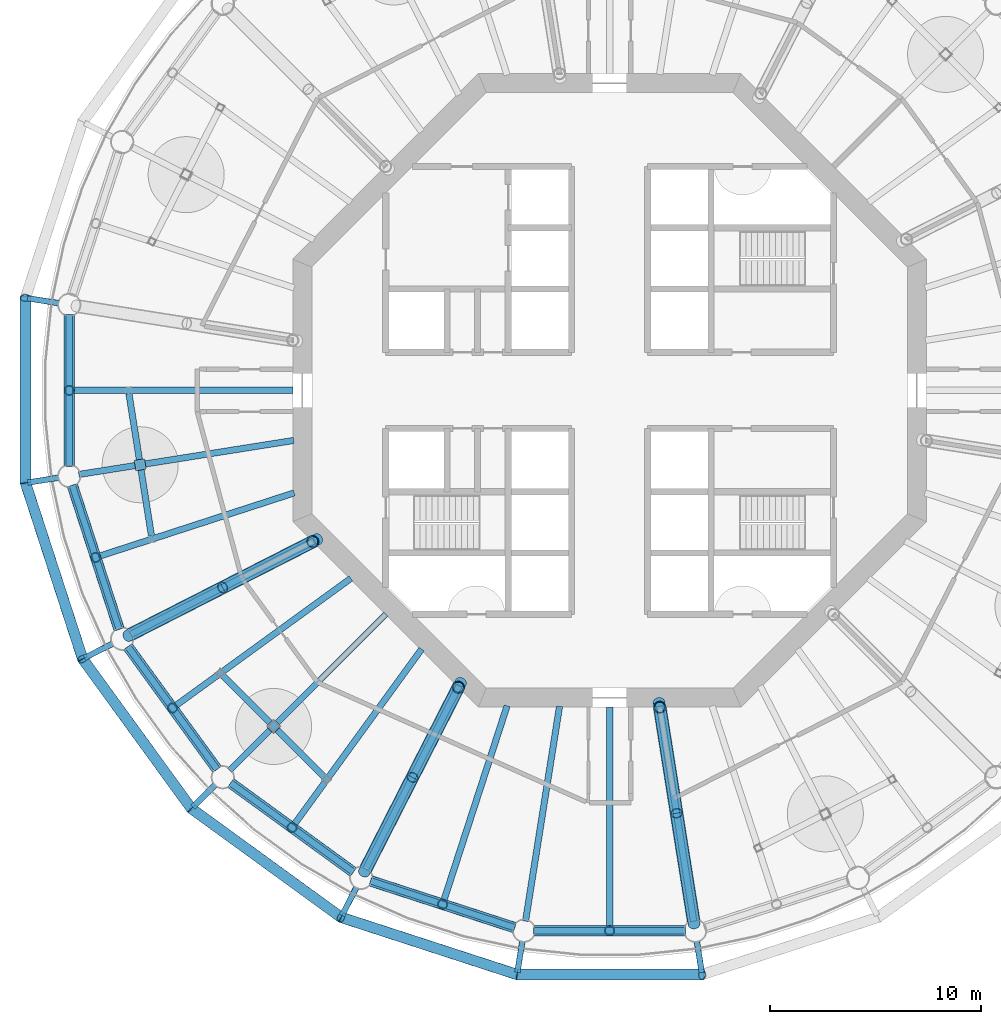
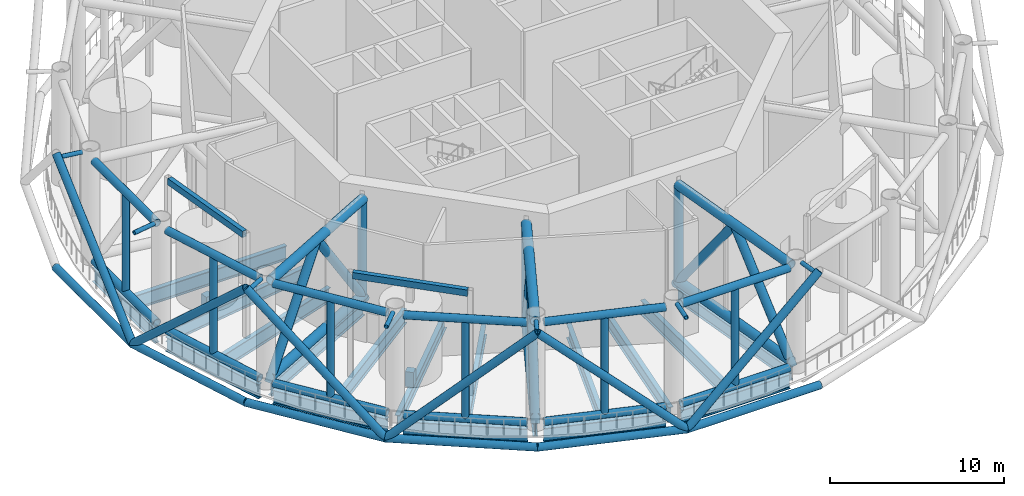
# One storey, part 6 of 22: 54 members, 20 beams.
"""IFC4 building model written with IfcOpenShell, lengths in metres."""

from ifc_helpers import new_model, si_unit, direction, frame, origin, origin_2d, place, context, subcontext, project, spatial, rectangle, hollow_rectangle, circle, hollow_circle, i_section, extrude, material, material_profile, profile_set, type_object, element, save


model = new_model("IFC4")

# Units and contexts
model_context = context("Model", 3, precision=1e-05, world=origin(), true_north=direction((0.0, 1.0)))
body_context = subcontext(model_context, "Body", "Model", "MODEL_VIEW")
ifc_project = project(units=[si_unit("LENGTHUNIT", "METRE"), si_unit("AREAUNIT", "SQUARE_METRE"), si_unit("VOLUMEUNIT", "CUBIC_METRE"), si_unit("PLANEANGLEUNIT", "RADIAN"), si_unit("MASSUNIT", "GRAM", prefix="KILO")], contexts=[model_context])

# Site, building, storey
site_placement = place(None, origin())
site = spatial("IfcSite", under=ifc_project, at=site_placement, CompositionType="ELEMENT")
building_placement = place(site_placement, origin())
building = spatial("IfcBuilding", under=site, at=building_placement, Name="Entoto Ring Tower", CompositionType="ELEMENT")
storey_placement = place(building_placement, frame((0.0, 0.0, 230.0)))
storey = spatial("IfcBuildingStorey", under=building, at=storey_placement, Name="L53", CompositionType="ELEMENT", Elevation=230.0)

# Members
ifc_material_1 = material(Name="Steel S355", Category="steel")
ifc_material_profile_1 = material_profile(ifc_material_1, hollow_circle(Radius=0.25390625, WallThickness=0.02490234375, at=origin_2d()), Name="CHS 508 x 25")
ifc_material_2 = material(Name="Concrete C60/75", Category="concrete")
ifc_material_profile_2 = material_profile(ifc_material_2, circle(Radius=0.22900390625, at=origin_2d()), Name="Concrete C60/75 infill")
ifc_profile_set_1 = profile_set([ifc_material_profile_1, ifc_material_profile_2], Name="Steel S355")
member_type_1 = type_object("IfcMemberType", Name="Diagrid diagonal 508 x 25 concrete-filled tube", PredefinedType="BRACE", material=ifc_profile_set_1)
for number, where, z_axis, x_axis, name in (
    (1, (62.3447265625, 75.619873046875, 0.0), (0.0, 0.738422225603, 0.674338651373), (-1.0, 0.0, 0.0), "DG5 module 17 11"),
    (2, (62.3447265625, 75.619873046875, 0.0), (0.228181506805, -0.702283739289, 0.674337266865), (0.95105823263, 0.309011711991, 0.0), "DG5 module 17 12"),
    (3, (70.200927734375, 60.200927734375, 0.0), (-0.434030642959, 0.597406930213, 0.674331046821), (-0.809024012567, -0.587775592458, 0.0), "DG5 module 17 13"),
    (4, (70.200927734375, 60.200927734375, 0.0), (0.597406930213, -0.434030642959, 0.674331046821), (0.587775592458, 0.809024012567, 0.0), "DG5 module 17 14"),
    (5, (85.619873046875, 52.3447265625, 0.0), (-0.702283739289, 0.228181506805, 0.674337266865), (-0.309011711991, -0.95105823263, 0.0), "DG5 module 17 15"),
    (6, (85.619873046875, 52.3447265625, 0.0), (0.738422225603, 0.0, 0.674338651373), (0.0, 1.0, 0.0), "DG5 module 17 16"),
):
    element("IfcMember", number, at=place(storey_placement, frame(where, z_axis=z_axis, x_axis=x_axis)), inside=storey, type_object=member_type_1, Name=name, PredefinedType="BRACE", context=body_context, shape_type="SweptSolid", body=[
        extrude(hollow_circle(Radius=0.25390625, WallThickness=0.02490234375, at=origin_2d()), origin(), (0.0, 0.0, 1.0), 11.863525390625),
    ])
ifc_material_3 = material(Name="Steel S355", Category="steel")
ifc_material_profile_3 = material_profile(ifc_material_3, hollow_circle(Radius=0.136474609375, WallThickness=0.012451171875, at=origin_2d()), Name="CHS 273 x 12.5")
ifc_material_4 = material(Name="Concrete C60/75", Category="concrete")
ifc_material_profile_4 = material_profile(ifc_material_4, circle(Radius=0.1240234375, at=origin_2d()), Name="Concrete C60/75 infill")
ifc_profile_set_2 = profile_set([ifc_material_profile_3, ifc_material_profile_4], Name="Steel S355")
member_type_2 = type_object("IfcMemberType", Name="Diagrid node strut 273 x 12.5", PredefinedType="STRUT", material=ifc_profile_set_2)
for number, where, z_axis, x_axis, name in (
    (7, (63.912353515625, 84.1318359375, 7.71337890625), (-0.987684301722, 0.156459963354, 0.0), (-0.156459963354, -0.987684301722, 0.0), "DS2 strut ring 17 09"),
    (8, (63.912353515625, 75.8681640625, 7.71337890625), (-0.987684301722, -0.156459963354, 0.0), (0.156459963354, -0.987684301722, 0.0), "DS2 strut ring 17 10"),
):
    element("IfcMember", number, at=place(storey_placement, frame(where, z_axis=z_axis, x_axis=x_axis)), inside=storey, type_object=member_type_2, Name=name, PredefinedType="STRUT", context=body_context, shape_type="SweptSolid", body=[
        extrude(hollow_circle(Radius=0.136474609375, WallThickness=0.012451171875, at=origin_2d()), origin(), (0.0, 0.0, 1.0), 1.487060546875),
    ])
for number, where, z_axis, x_axis, name in (
    (9, (66.466064453125, 68.0087890625, 7.71337890625), (-0.891053276869, -0.453898730756, 0.0), (0.453898730756, -0.891053276869, 0.0), "DS2 strut ring 17 11"),
    (10, (71.323486328125, 61.323486328125, 7.71337890625), (-0.707106781187, -0.707106781187, 0.0), (0.707106781187, -0.707106781187, 0.0), "DS2 strut ring 17 12"),
    (11, (78.0087890625, 56.466064453125, 7.71337890625), (-0.453898730756, -0.891053276869, 0.0), (0.891053276869, -0.453898730756, 0.0), "DS2 strut ring 17 13"),
):
    element("IfcMember", number, at=place(storey_placement, frame(where, z_axis=z_axis, x_axis=x_axis)), inside=storey, type_object=member_type_2, Name=name, PredefinedType="STRUT", context=body_context, shape_type="SweptSolid", body=[
        extrude(hollow_circle(Radius=0.136474609375, WallThickness=0.012451171875, at=origin_2d()), origin(), (0.0, 0.0, 1.0), 1.4873046875),
    ])
for number, where, z_axis, x_axis, name in (
    (12, (85.8681640625, 53.912353515625, 7.71337890625), (-0.156459963354, -0.987684301722, 0.0), (0.987684301722, -0.156459963354, 0.0), "DS2 strut ring 17 14"),
    (13, (94.1318359375, 53.912353515625, 7.71337890625), (0.156459963354, -0.987684301722, 0.0), (0.987684301722, 0.156459963354, 0.0), "DS2 strut ring 17 15"),
):
    element("IfcMember", number, at=place(storey_placement, frame(where, z_axis=z_axis, x_axis=x_axis)), inside=storey, type_object=member_type_2, Name=name, PredefinedType="STRUT", context=body_context, shape_type="SweptSolid", body=[
        extrude(hollow_circle(Radius=0.136474609375, WallThickness=0.012451171875, at=origin_2d()), origin(), (0.0, 0.0, 1.0), 1.487060546875),
    ])
ifc_material_5 = material(Name="Steel S355", Category="steel")
ifc_material_profile_5 = material_profile(ifc_material_5, hollow_circle(Radius=0.25390625, WallThickness=0.030029296875, at=origin_2d()), Name="CHS 508 x 30")
ifc_material_6 = material(Name="Concrete C60/75", Category="concrete")
ifc_material_profile_6 = material_profile(ifc_material_6, circle(Radius=0.22412109375, at=origin_2d()), Name="Concrete C60/75 infill")
ifc_profile_set_3 = profile_set([ifc_material_profile_5, ifc_material_profile_6], Name="Steel S355")
member_type_3 = type_object("IfcMemberType", Name="Diagrid ring beam 508 x 30", PredefinedType="CHORD", material=ifc_profile_set_3)
member_1_placement = place(storey_placement, frame((62.3447265625, 84.4404296875, 0.0), z_axis=(0.0, -1.0, 0.0), x_axis=(1.0, 0.0, 0.0)))
element("IfcMember", 14, at=member_1_placement, inside=storey, type_object=member_type_3, Name="DR2 ring 16 10", PredefinedType="CHORD", context=body_context, shape_type="SweptSolid", body=[
    extrude(hollow_circle(Radius=0.25390625, WallThickness=0.030029296875, at=origin_2d()), origin(), (0.0, 0.0, 1.0), 8.880859375),
])
for number, where, z_axis, x_axis, name in (
    (15, (62.326171875, 75.677001953125, 0.0), (0.309002151976, -0.951061338755, 0.0), (0.951061338755, 0.309002151976, 0.0), "DR2 ring 16 11"),
    (16, (65.016357421875, 67.3369140625, 0.0), (0.587790766961, -0.809012987705, 0.0), (0.809012987705, 0.587790766961, 0.0), "DR2 ring 16 12"),
    (17, (70.15234375, 60.236328125, 0.0), (0.809012987705, -0.587790766961, 0.0), (0.587790766961, 0.809012987705, 0.0), "DR2 ring 16 13"),
    (18, (77.23095703125, 55.0703125, 0.0), (0.951061338755, -0.309002151976, 0.0), (0.309002151976, 0.951061338755, 0.0), "DR2 ring 16 14"),
):
    element("IfcMember", number, at=place(storey_placement, frame(where, z_axis=z_axis, x_axis=x_axis)), inside=storey, type_object=member_type_3, Name=name, PredefinedType="CHORD", context=body_context, shape_type="SweptSolid", body=[
        extrude(hollow_circle(Radius=0.25390625, WallThickness=0.030029296875, at=origin_2d()), origin(), (0.0, 0.0, 1.0), 8.880615234375),
    ])
member_2_placement = place(storey_placement, frame((85.5595703125, 52.3447265625, 0.0), z_axis=(1.0, 0.0, 0.0), x_axis=(0.0, 1.0, 0.0)))
element("IfcMember", 19, at=member_2_placement, inside=storey, type_object=member_type_3, Name="DR2 ring 16 15", PredefinedType="CHORD", context=body_context, shape_type="SweptSolid", body=[
    extrude(hollow_circle(Radius=0.25390625, WallThickness=0.030029296875, at=origin_2d()), origin(), (0.0, 0.0, 1.0), 8.880859375),
])

# Beams
ifc_material_7 = material(Name="Steel S355", Category="steel")
ifc_material_profile_7 = material_profile(ifc_material_7, i_section(OverallWidth=0.300048828125, OverallDepth=1.0, WebThickness=0.01904296875, FlangeThickness=0.035888671875, FilletRadius=0.030029296875, at=origin_2d()), Name="HE 1000 B")
ifc_profile_set_4 = profile_set([ifc_material_profile_7], Name="Steel S355")
beam_type_1 = type_object("IfcBeamType", Name="Edge beam HE 1000 B", PredefinedType="SPANDREL", material=ifc_profile_set_4)
for number, where, z_axis, x_axis, name in (
    (20, (64.4189453125, 83.5947265625, -0.64990234375), (0.0, -1.0, 0.0), (1.0, 0.0, 0.0), "Edge beam L53 10"),
    (21, (64.56005859375, 75.513916015625, -0.64990234375), (0.309016197858, -0.951056775099, 0.0), (0.951056775099, 0.309016197858, 0.0), "Edge beam L53 11"),
):
    element("IfcBeam", number, at=place(storey_placement, frame(where, z_axis=z_axis, x_axis=x_axis)), inside=storey, type_object=beam_type_1, Name=name, PredefinedType="SPANDREL", context=body_context, shape_type="SweptSolid", body=[
        extrude(i_section(OverallWidth=0.300048828125, OverallDepth=1.0, WebThickness=0.01904296875, FlangeThickness=0.035888671875, FilletRadius=0.030029296875, at=origin_2d()), origin(), (0.0, 0.0, 1.0), 7.189453125),
    ])
for number, where, z_axis, x_axis, name in (
    (22, (67.19140625, 67.8720703125, -0.64990234375), (0.587804161843, -0.809003255445, 0.0), (0.809003255445, 0.587804161843, 0.0), "Edge beam L53 12"),
    (23, (72.0556640625, 61.41748046875, -0.64990234375), (0.809003255445, -0.587804161843, 0.0), (0.587804161843, 0.809003255445, 0.0), "Edge beam L53 13"),
):
    element("IfcBeam", number, at=place(storey_placement, frame(where, z_axis=z_axis, x_axis=x_axis)), inside=storey, type_object=beam_type_1, Name=name, PredefinedType="SPANDREL", context=body_context, shape_type="SweptSolid", body=[
        extrude(i_section(OverallWidth=0.300048828125, OverallDepth=1.0, WebThickness=0.01904296875, FlangeThickness=0.035888671875, FilletRadius=0.030029296875, at=origin_2d()), origin(), (0.0, 0.0, 1.0), 7.189697265625),
    ])
for number, where, z_axis, x_axis, name in (
    (24, (78.67626953125, 56.78173828125, -0.64990234375), (0.951056775099, -0.309016197858, 0.0), (0.309016197858, 0.951056775099, 0.0), "Edge beam L53 14"),
    (25, (86.4052734375, 54.4189453125, -0.64990234375), (1.0, 0.0, 0.0), (0.0, 1.0, 0.0), "Edge beam L53 15"),
):
    element("IfcBeam", number, at=place(storey_placement, frame(where, z_axis=z_axis, x_axis=x_axis)), inside=storey, type_object=beam_type_1, Name=name, PredefinedType="SPANDREL", context=body_context, shape_type="SweptSolid", body=[
        extrude(i_section(OverallWidth=0.300048828125, OverallDepth=1.0, WebThickness=0.01904296875, FlangeThickness=0.035888671875, FilletRadius=0.030029296875, at=origin_2d()), origin(), (0.0, 0.0, 1.0), 7.189453125),
    ])

# Members
ifc_material_8 = material(Name="Steel S355", Category="steel")
ifc_material_profile_8 = material_profile(ifc_material_8, hollow_circle(Radius=0.304931640625, WallThickness=0.030029296875, at=origin_2d()), Name="CHS 610 x 30")
ifc_material_9 = material(Name="Concrete C60/75", Category="concrete")
ifc_material_profile_9 = material_profile(ifc_material_9, circle(Radius=0.27490234375, at=origin_2d()), Name="Concrete C60/75 infill")
ifc_profile_set_5 = profile_set([ifc_material_profile_8, ifc_material_profile_9], Name="Steel S355")
member_type_4 = type_object("IfcMemberType", Name="Outrigger chord 610 x 30", PredefinedType="CHORD", material=ifc_profile_set_5)
for number, where, z_axis, x_axis, name in (
    (26, (76.05322265625, 72.893798828125, 0.304931640625), (-0.891006635857, -0.453990280577, 0.0), (0.453990280577, -0.891006635857, 0.0), "OR1B L53 bottom 06"),
    (27, (76.05322265625, 72.893798828125, 7.044921875), (-0.891006635857, -0.453990280577, 0.0), (0.453990280577, -0.891006635857, 0.0), "OR1B L53 top 06"),
    (28, (82.893798828125, 66.05322265625, 0.304931640625), (-0.453990280577, -0.891006635857, 0.0), (0.891006635857, -0.453990280577, 0.0), "OR1B L53 bottom 07"),
    (29, (82.893798828125, 66.05322265625, 7.044921875), (-0.453990280577, -0.891006635857, 0.0), (0.891006635857, -0.453990280577, 0.0), "OR1B L53 top 07"),
):
    element("IfcMember", number, at=place(storey_placement, frame(where, z_axis=z_axis, x_axis=x_axis)), inside=storey, type_object=member_type_4, Name=name, PredefinedType="CHORD", context=body_context, shape_type="SweptSolid", body=[
        extrude(hollow_circle(Radius=0.304931640625, WallThickness=0.030029296875, at=origin_2d()), origin(), (0.0, 0.0, 1.0), 9.809326171875),
    ])
for number, where, z_axis, x_axis, name in (
    (30, (92.364990234375, 65.0673828125, 0.304931640625), (0.156440099565, -0.987687448158, 0.0), (0.987687448158, 0.156440099565, 0.0), "OR1B L53 bottom 08"),
    (31, (92.364990234375, 65.0673828125, 7.044921875), (0.156440099565, -0.987687448158, 0.0), (0.987687448158, 0.156440099565, 0.0), "OR1B L53 top 08"),
):
    element("IfcMember", number, at=place(storey_placement, frame(where, z_axis=z_axis, x_axis=x_axis)), inside=storey, type_object=member_type_4, Name=name, PredefinedType="CHORD", context=body_context, shape_type="SweptSolid", body=[
        extrude(hollow_circle(Radius=0.304931640625, WallThickness=0.030029296875, at=origin_2d()), origin(), (0.0, 0.0, 1.0), 10.34375),
    ])
ifc_material_10 = material(Name="Steel S355", Category="steel")
ifc_material_profile_10 = material_profile(ifc_material_10, hollow_circle(Radius=0.279541015625, WallThickness=0.031982421875, at=origin_2d()), Name="CHS 559 x 32")
ifc_material_11 = material(Name="Concrete C60/75", Category="concrete")
ifc_material_profile_11 = material_profile(ifc_material_11, circle(Radius=0.24755859375, at=origin_2d()), Name="Concrete C60/75 infill")
ifc_profile_set_6 = profile_set([ifc_material_profile_10, ifc_material_profile_11], Name="Steel S355")
member_type_5 = type_object("IfcMemberType", Name="Outrigger diagonal 559 x 32", PredefinedType="BRACE", material=ifc_profile_set_6)
member_3_placement = place(storey_placement, frame((76.174560546875, 72.95556640625, -0.05419921875), z_axis=(-0.516100988685, -0.262956397277, 0.815164831558), x_axis=(0.453976531921, -0.891013641009, 0.0)))
element("IfcMember", 32, at=member_3_placement, inside=storey, type_object=member_type_5, Name="OR2 L53 06 1", PredefinedType="BRACE", context=body_context, shape_type="SweptSolid", body=[
    extrude(hollow_circle(Radius=0.279541015625, WallThickness=0.031982421875, at=origin_2d()), origin(), (0.0, 0.0, 1.0), 8.708740234375),
])
member_4_placement = place(storey_placement, frame((71.679931640625, 70.66552734375, 7.044921875), z_axis=(-0.516071045889, -0.262970974339, -0.815179085999), x_axis=(0.454017422809, -0.890992805687, 0.0)))
element("IfcMember", 33, at=member_4_placement, inside=storey, type_object=member_type_5, Name="OR2 L53 06 2", PredefinedType="BRACE", context=body_context, shape_type="SweptSolid", body=[
    extrude(hollow_circle(Radius=0.279541015625, WallThickness=0.031982421875, at=origin_2d()), origin(), (0.0, 0.0, 1.0), 8.681396484375),
])
member_5_placement = place(storey_placement, frame((82.95556640625, 66.174560546875, -0.05419921875), z_axis=(-0.262956397277, -0.516100988685, 0.815164831558), x_axis=(0.891013641009, -0.453976531921, 0.0)))
element("IfcMember", 34, at=member_5_placement, inside=storey, type_object=member_type_5, Name="OR2 L53 07 1", PredefinedType="BRACE", context=body_context, shape_type="SweptSolid", body=[
    extrude(hollow_circle(Radius=0.279541015625, WallThickness=0.031982421875, at=origin_2d()), origin(), (0.0, 0.0, 1.0), 8.708740234375),
])
member_6_placement = place(storey_placement, frame((80.66552734375, 61.679931640625, 7.044921875), z_axis=(-0.262970974339, -0.516071045889, -0.815179085999), x_axis=(0.890992805687, -0.454017422809, 0.0)))
element("IfcMember", 35, at=member_6_placement, inside=storey, type_object=member_type_5, Name="OR2 L53 07 2", PredefinedType="BRACE", context=body_context, shape_type="SweptSolid", body=[
    extrude(hollow_circle(Radius=0.279541015625, WallThickness=0.031982421875, at=origin_2d()), origin(), (0.0, 0.0, 1.0), 8.681396484375),
])
member_7_placement = place(storey_placement, frame((92.33837890625, 65.236083984375, -0.01220703125), z_axis=(0.094168980477, -0.594598798703, 0.79848886761), x_axis=(0.987689936286, 0.156424389909, 0.0)))
element("IfcMember", 36, at=member_7_placement, inside=storey, type_object=member_type_5, Name="OR2 L53 08 1", PredefinedType="BRACE", context=body_context, shape_type="SweptSolid", body=[
    extrude(hollow_circle(Radius=0.279541015625, WallThickness=0.031982421875, at=origin_2d()), origin(), (0.0, 0.0, 1.0), 8.838134765625),
])
member_8_placement = place(storey_placement, frame((93.170654296875, 59.98095703125, 7.044921875), z_axis=(0.094182599771, -0.594591587458, -0.798492631165), x_axis=(0.987686147631, 0.156448310241, 0.0)))
element("IfcMember", 37, at=member_8_placement, inside=storey, type_object=member_type_5, Name="OR2 L53 08 2", PredefinedType="BRACE", context=body_context, shape_type="SweptSolid", body=[
    extrude(hollow_circle(Radius=0.279541015625, WallThickness=0.031982421875, at=origin_2d()), origin(), (0.0, 0.0, 1.0), 8.83154296875),
])
ifc_material_12 = material(Name="Steel S355", Category="steel")
ifc_material_profile_12 = material_profile(ifc_material_12, hollow_circle(Radius=0.279541015625, WallThickness=0.031982421875, at=origin_2d()), Name="CHS 559 x 32")
ifc_material_13 = material(Name="Concrete C60/75", Category="concrete")
ifc_material_profile_13 = material_profile(ifc_material_13, circle(Radius=0.24755859375, at=origin_2d()), Name="Concrete C60/75 infill")
ifc_profile_set_7 = profile_set([ifc_material_profile_12, ifc_material_profile_13], Name="Steel S355")
member_type_6 = type_object("IfcMemberType", Name="Outrigger post 559 x 32", PredefinedType="POST", material=ifc_profile_set_7)
for number, where, z_axis, x_axis, name in (
    (38, (75.947021484375, 72.839599609375, 0.304931640625), (0.0, 0.0, 1.0), (1.0, 0.0, 0.0), "OR3A L53 06"),
    (39, (82.839599609375, 65.947021484375, 0.304931640625), (0.0, 0.0, 1.0), (1.0, 0.0, 0.0), "OR3A L53 07"),
    (40, (92.375732421875, 65.0, 0.304931640625), (0.0, 0.0, 1.0), (1.0, 0.0, 0.0), "OR3A L53 08"),
):
    element("IfcMember", number, at=place(storey_placement, frame(where, z_axis=z_axis, x_axis=x_axis)), inside=storey, type_object=member_type_6, Name=name, PredefinedType="POST", context=body_context, shape_type="SweptSolid", body=[
        extrude(hollow_circle(Radius=0.279541015625, WallThickness=0.031982421875, at=origin_2d()), origin(), (0.0, 0.0, 1.0), 6.739990234375),
    ])

# Beams
ifc_material_14 = material(Name="Steel S355", Category="steel")
ifc_material_profile_14 = material_profile(ifc_material_14, i_section(OverallWidth=0.300048828125, OverallDepth=0.89990234375, WebThickness=0.0185546875, FlangeThickness=0.034912109375, FilletRadius=0.030029296875, at=origin_2d()), Name="HE 900 B")
ifc_profile_set_8 = profile_set([ifc_material_profile_14], Name="Steel S355")
beam_type_2 = type_object("IfcBeamType", Name="Primary floor beam HE 900 B", PredefinedType="BEAM", material=ifc_profile_set_8)
beam_1_placement = place(storey_placement, frame((75.043212890625, 77.631103515625, -0.60009765625), z_axis=(-0.987687319674, -0.156440910745, 0.0), x_axis=(0.156440910745, -0.987687319674, 0.0)))
element("IfcBeam", 41, at=beam_1_placement, inside=storey, type_object=beam_type_2, Name="Primary L53 R11", PredefinedType="BEAM", context=body_context, shape_type="SweptSolid", body=[
    extrude(i_section(OverallWidth=0.300048828125, OverallDepth=0.89990234375, WebThickness=0.0185546875, FlangeThickness=0.034912109375, FilletRadius=0.030029296875, at=origin_2d()), origin(), (0.0, 0.0, 1.0), 10.2998046875),
])
beam_2_placement = place(storey_placement, frame((76.00830078125, 72.870849609375, -0.60009765625), z_axis=(-0.891002383468, -0.453998626269, 0.0), x_axis=(0.453998626269, -0.891002383468, 0.0)))
element("IfcBeam", 42, at=beam_2_placement, inside=storey, type_object=beam_type_2, Name="Primary L53 R12", PredefinedType="BEAM", context=body_context, shape_type="SweptSolid", body=[
    extrude(i_section(OverallWidth=0.300048828125, OverallDepth=0.89990234375, WebThickness=0.0185546875, FlangeThickness=0.034912109375, FilletRadius=0.030029296875, at=origin_2d()), origin(), (0.0, 0.0, 1.0), 9.73974609375),
])
beam_3_placement = place(storey_placement, frame((79.407470703125, 69.407470703125, -0.60009765625), z_axis=(-0.707106781187, -0.707106781187, 0.0), x_axis=(0.707106781187, -0.707106781187, 0.0)))
element("IfcBeam", 43, at=beam_3_placement, inside=storey, type_object=beam_type_2, Name="Primary L53 R13", PredefinedType="BEAM", context=body_context, shape_type="SweptSolid", body=[
    extrude(i_section(OverallWidth=0.300048828125, OverallDepth=0.89990234375, WebThickness=0.0185546875, FlangeThickness=0.034912109375, FilletRadius=0.030029296875, at=origin_2d()), origin(), (0.0, 0.0, 1.0), 10.462890625),
])
beam_4_placement = place(storey_placement, frame((82.870849609375, 66.00830078125, -0.60009765625), z_axis=(-0.453998626269, -0.891002383468, 0.0), x_axis=(0.891002383468, -0.453998626269, 0.0)))
element("IfcBeam", 44, at=beam_4_placement, inside=storey, type_object=beam_type_2, Name="Primary L53 R14", PredefinedType="BEAM", context=body_context, shape_type="SweptSolid", body=[
    extrude(i_section(OverallWidth=0.300048828125, OverallDepth=0.89990234375, WebThickness=0.0185546875, FlangeThickness=0.034912109375, FilletRadius=0.030029296875, at=origin_2d()), origin(), (0.0, 0.0, 1.0), 9.73974609375),
])
for number, where, z_axis, x_axis, name in (
    (45, (87.631103515625, 65.043212890625, -0.60009765625), (-0.156440910745, -0.987687319674, 0.0), (0.987687319674, -0.156440910745, 0.0), "Primary L53 R15"),
    (46, (92.368896484375, 65.043212890625, -0.60009765625), (0.156440910745, -0.987687319674, 0.0), (0.987687319674, 0.156440910745, 0.0), "Primary L53 R16"),
):
    element("IfcBeam", number, at=place(storey_placement, frame(where, z_axis=z_axis, x_axis=x_axis)), inside=storey, type_object=beam_type_2, Name=name, PredefinedType="BEAM", context=body_context, shape_type="SweptSolid", body=[
        extrude(i_section(OverallWidth=0.300048828125, OverallDepth=0.89990234375, WebThickness=0.0185546875, FlangeThickness=0.034912109375, FilletRadius=0.030029296875, at=origin_2d()), origin(), (0.0, 0.0, 1.0), 10.2998046875),
    ])

# Members
ifc_material_15 = material(Name="Steel S355", Category="steel")
ifc_material_profile_15 = material_profile(ifc_material_15, hollow_circle(Radius=0.25390625, WallThickness=0.030029296875, at=origin_2d()), Name="CHS 508 x 30")
ifc_material_16 = material(Name="Concrete C60/75", Category="concrete")
ifc_material_profile_16 = material_profile(ifc_material_16, circle(Radius=0.22412109375, at=origin_2d()), Name="Concrete C60/75 infill")
ifc_profile_set_9 = profile_set([ifc_material_profile_15, ifc_material_profile_16], Name="Steel S355")
member_type_7 = type_object("IfcMemberType", Name="Ring truss chord 508 x 30", PredefinedType="CHORD", material=ifc_profile_set_9)
for number, where, z_axis, x_axis, name in (
    (47, (64.4189453125, 83.583984375, 0.25390625), (0.0, -1.0, 0.0), (1.0, 0.0, 0.0), "BT1 L53 bottom 10"),
    (48, (64.4189453125, 83.583984375, 7.236083984375), (0.0, -1.0, 0.0), (1.0, 0.0, 0.0), "BT1 L53 top 10"),
):
    element("IfcMember", number, at=place(storey_placement, frame(where, z_axis=z_axis, x_axis=x_axis)), inside=storey, type_object=member_type_7, Name=name, PredefinedType="CHORD", context=body_context, shape_type="SweptSolid", body=[
        extrude(hollow_circle(Radius=0.25390625, WallThickness=0.030029296875, at=origin_2d()), origin(), (0.0, 0.0, 1.0), 7.16796875),
    ])
for number, where, z_axis, x_axis, name in (
    (49, (64.5634765625, 75.50341796875, 0.25390625), (0.30900443182, -0.951060598025, 0.0), (0.951060598025, 0.30900443182, 0.0), "BT1 L53 bottom 11"),
    (50, (64.5634765625, 75.50341796875, 7.236083984375), (0.30900443182, -0.951060598025, 0.0), (0.951060598025, 0.30900443182, 0.0), "BT1 L53 top 11"),
    (51, (67.19775390625, 67.86328125, 0.25390625), (0.587788860985, -0.809014372494, 0.0), (0.809014372494, 0.587788860985, 0.0), "BT1 L53 bottom 12"),
    (52, (67.19775390625, 67.86328125, 7.236083984375), (0.587788860985, -0.809014372494, 0.0), (0.809014372494, 0.587788860985, 0.0), "BT1 L53 top 12"),
    (53, (72.064453125, 61.410888671875, 0.25390625), (0.809014372494, -0.587788860985, 0.0), (0.587788860985, 0.809014372494, 0.0), "BT1 L53 bottom 13"),
    (54, (72.064453125, 61.410888671875, 7.236083984375), (0.809014372494, -0.587788860985, 0.0), (0.587788860985, 0.809014372494, 0.0), "BT1 L53 top 13"),
    (55, (78.6865234375, 56.7783203125, 0.25390625), (0.951060598025, -0.30900443182, 0.0), (0.30900443182, 0.951060598025, 0.0), "BT1 L53 bottom 14"),
    (56, (78.6865234375, 56.7783203125, 7.236083984375), (0.951060598025, -0.30900443182, 0.0), (0.30900443182, 0.951060598025, 0.0), "BT1 L53 top 14"),
):
    element("IfcMember", number, at=place(storey_placement, frame(where, z_axis=z_axis, x_axis=x_axis)), inside=storey, type_object=member_type_7, Name=name, PredefinedType="CHORD", context=body_context, shape_type="SweptSolid", body=[
        extrude(hollow_circle(Radius=0.25390625, WallThickness=0.030029296875, at=origin_2d()), origin(), (0.0, 0.0, 1.0), 7.167724609375),
    ])
for number, where, z_axis, x_axis, name in (
    (57, (86.416015625, 54.4189453125, 0.25390625), (1.0, 0.0, 0.0), (0.0, 1.0, 0.0), "BT1 L53 bottom 15"),
    (58, (86.416015625, 54.4189453125, 7.236083984375), (1.0, 0.0, 0.0), (0.0, 1.0, 0.0), "BT1 L53 top 15"),
):
    element("IfcMember", number, at=place(storey_placement, frame(where, z_axis=z_axis, x_axis=x_axis)), inside=storey, type_object=member_type_7, Name=name, PredefinedType="CHORD", context=body_context, shape_type="SweptSolid", body=[
        extrude(hollow_circle(Radius=0.25390625, WallThickness=0.030029296875, at=origin_2d()), origin(), (0.0, 0.0, 1.0), 7.16796875),
    ])
ifc_material_17 = material(Name="Steel S355", Category="steel")
ifc_material_profile_17 = material_profile(ifc_material_17, hollow_circle(Radius=0.228515625, WallThickness=0.02001953125, at=origin_2d()), Name="CHS 457 x 20")
ifc_material_18 = material(Name="Concrete C60/75", Category="concrete")
ifc_material_profile_18 = material_profile(ifc_material_18, circle(Radius=0.20849609375, at=origin_2d()), Name="Concrete C60/75 infill")
ifc_profile_set_10 = profile_set([ifc_material_profile_17, ifc_material_profile_18], Name="Steel S355")
member_type_8 = type_object("IfcMemberType", Name="Ring truss post 457 x 20", PredefinedType="POST", material=ifc_profile_set_10)
for number, where, z_axis, x_axis, name in (
    (59, (64.4189453125, 80.0, 0.25390625), (0.0, 0.0, 1.0), (1.0, 0.0, 0.0), "BT3 L53 10"),
    (60, (65.6708984375, 72.094970703125, 0.25390625), (0.0, 0.0, 1.0), (1.0, 0.0, 0.0), "BT3 L53 11"),
    (61, (69.304443359375, 64.9638671875, 0.25390625), (0.0, 0.0, 1.0), (1.0, 0.0, 0.0), "BT3 L53 12"),
    (62, (74.9638671875, 59.304443359375, 0.25390625), (0.0, 0.0, 1.0), (1.0, 0.0, 0.0), "BT3 L53 13"),
    (63, (82.094970703125, 55.6708984375, 0.25390625), (0.0, 0.0, 1.0), (1.0, 0.0, 0.0), "BT3 L53 14"),
    (64, (90.0, 54.4189453125, 0.25390625), (0.0, 0.0, 1.0), (1.0, 0.0, 0.0), "BT3 L53 15"),
):
    element("IfcMember", number, at=place(storey_placement, frame(where, z_axis=z_axis, x_axis=x_axis)), inside=storey, type_object=member_type_8, Name=name, PredefinedType="POST", context=body_context, shape_type="SweptSolid", body=[
        extrude(hollow_circle(Radius=0.228515625, WallThickness=0.02001953125, at=origin_2d()), origin(), (0.0, 0.0, 1.0), 6.982177734375),
    ])

# Beams
ifc_material_19 = material(Name="Steel S355", Category="steel")
ifc_material_profile_19 = material_profile(ifc_material_19, i_section(OverallWidth=0.300048828125, OverallDepth=1.0, WebThickness=0.01904296875, FlangeThickness=0.035888671875, FilletRadius=0.030029296875, at=origin_2d()), Name="HE 1000 B")
ifc_profile_set_11 = profile_set([ifc_material_profile_19], Name="Steel S355")
beam_type_3 = type_object("IfcBeamType", Name="Secondary floor beam HE 1000 B", PredefinedType="JOIST", material=ifc_profile_set_11)
beam_5_placement = place(storey_placement, frame((75.02001953125, 80.0, -0.64990234375), z_axis=(-1.0, 0.0, 0.0), x_axis=(0.0, -1.0, 0.0)))
element("IfcBeam", 65, at=beam_5_placement, inside=storey, type_object=beam_type_3, Name="Secondary beam L53 10", PredefinedType="JOIST", context=body_context, shape_type="SweptSolid", body=[
    extrude(i_section(OverallWidth=0.300048828125, OverallDepth=1.0, WebThickness=0.01904296875, FlangeThickness=0.035888671875, FilletRadius=0.030029296875, at=origin_2d()), origin(), (0.0, 0.0, 1.0), 10.451171875),
])
beam_6_placement = place(storey_placement, frame((75.0654296875, 75.1474609375, -0.64990234375), z_axis=(-0.951057672858, -0.309013434819, 0.0), x_axis=(0.309013434819, -0.951057672858, 0.0)))
element("IfcBeam", 66, at=beam_6_placement, inside=storey, type_object=beam_type_3, Name="Secondary beam L53 11", PredefinedType="JOIST", context=body_context, shape_type="SweptSolid", body=[
    extrude(i_section(OverallWidth=0.300048828125, OverallDepth=1.0, WebThickness=0.01904296875, FlangeThickness=0.035888671875, FilletRadius=0.030029296875, at=origin_2d()), origin(), (0.0, 0.0, 1.0), 9.72802734375),
])
for number, where, z_axis, x_axis, name in (
    (67, (77.748779296875, 71.09912109375, -0.64990234375), (-0.809012043981, -0.587792065864, 0.0), (0.587792065864, -0.809012043981, 0.0), "Secondary beam L53 12"),
    (68, (81.09912109375, 67.748779296875, -0.64990234375), (-0.587792065864, -0.809012043981, 0.0), (0.809012043981, -0.587792065864, 0.0), "Secondary beam L53 13"),
):
    element("IfcBeam", number, at=place(storey_placement, frame(where, z_axis=z_axis, x_axis=x_axis)), inside=storey, type_object=beam_type_3, Name=name, PredefinedType="JOIST", context=body_context, shape_type="SweptSolid", body=[
        extrude(i_section(OverallWidth=0.300048828125, OverallDepth=1.0, WebThickness=0.01904296875, FlangeThickness=0.035888671875, FilletRadius=0.030029296875, at=origin_2d()), origin(), (0.0, 0.0, 1.0), 10.287841796875),
    ])
beam_7_placement = place(storey_placement, frame((85.1474609375, 65.0654296875, -0.64990234375), z_axis=(-0.309013434819, -0.951057672858, 0.0), x_axis=(0.951057672858, -0.309013434819, 0.0)))
element("IfcBeam", 69, at=beam_7_placement, inside=storey, type_object=beam_type_3, Name="Secondary beam L53 14", PredefinedType="JOIST", context=body_context, shape_type="SweptSolid", body=[
    extrude(i_section(OverallWidth=0.300048828125, OverallDepth=1.0, WebThickness=0.01904296875, FlangeThickness=0.035888671875, FilletRadius=0.030029296875, at=origin_2d()), origin(), (0.0, 0.0, 1.0), 9.72802734375),
])
beam_8_placement = place(storey_placement, frame((90.0, 65.02001953125, -0.64990234375), z_axis=(0.0, -1.0, 0.0), x_axis=(1.0, 0.0, 0.0)))
element("IfcBeam", 70, at=beam_8_placement, inside=storey, type_object=beam_type_3, Name="Secondary beam L53 15", PredefinedType="JOIST", context=body_context, shape_type="SweptSolid", body=[
    extrude(i_section(OverallWidth=0.300048828125, OverallDepth=1.0, WebThickness=0.01904296875, FlangeThickness=0.035888671875, FilletRadius=0.030029296875, at=origin_2d()), origin(), (0.0, 0.0, 1.0), 10.451171875),
])

# Members
ifc_material_20 = material(Name="Steel S355", Category="steel")
ifc_material_profile_20 = material_profile(ifc_material_20, rectangle(XDim=0.5, YDim=0.5, at=origin_2d()), Name="Turbine base 500 x 500 mm steel pedestal")
ifc_profile_set_12 = profile_set([ifc_material_profile_20], Name="Steel S355")
member_type_9 = type_object("IfcMemberType", Name="Turbine base 500 x 500 mm steel pedestal", PredefinedType="POST", material=ifc_profile_set_12)
for number, where, z_axis, x_axis, name in (
    (71, (67.777099609375, 76.480224609375, 0.0), (0.0, 0.0, 1.0), (0.15643446504, -0.987688340595, 0.0), "TURBINE BASE 5"),
    (72, (74.090087890625, 64.090087890625, 0.0), (0.0, 0.0, 1.0), (0.707106781187, -0.707106781187, 0.0), "TURBINE BASE 6"),
):
    element("IfcMember", number, at=place(storey_placement, frame(where, z_axis=z_axis, x_axis=x_axis)), inside=storey, type_object=member_type_9, Name=name, PredefinedType="POST", context=body_context, shape_type="SweptSolid", body=[
        extrude(rectangle(XDim=0.5, YDim=0.5, at=origin_2d()), origin(), (0.0, 0.0, 1.0), 1.050048828125),
    ])

# Beams
ifc_material_21 = material(Name="Steel S355", Category="steel")
ifc_material_profile_21 = material_profile(ifc_material_21, hollow_rectangle(XDim=0.300048828125, YDim=0.449951171875, WallThickness=0.013916015625, at=origin_2d()), Name="Turbine frame beam 300 x 450 x 14 mm")
ifc_profile_set_13 = profile_set([ifc_material_profile_21], Name="Steel S355")
beam_type_4 = type_object("IfcBeamType", Name="Turbine frame beam 300 x 450 x 14 mm", PredefinedType="BEAM", material=ifc_profile_set_13)
beam_9_placement = place(storey_placement, frame((67.242919921875, 79.851806640625, 7.125), z_axis=(0.156449177935, -0.987686010189, 0.0), x_axis=(0.987686010189, 0.156449177935, 0.0)))
element("IfcBeam", 73, at=beam_9_placement, inside=storey, type_object=beam_type_4, Name="TURBINE FRAME BEAM 5", PredefinedType="BEAM", context=body_context, shape_type="SweptSolid", body=[
    extrude(hollow_rectangle(XDim=0.300048828125, YDim=0.449951171875, WallThickness=0.013916015625, at=origin_2d()), origin(), (0.0, 0.0, 1.0), 6.8271484375),
])
beam_10_placement = place(storey_placement, frame((71.67626953125, 66.50390625, 7.125), z_axis=(0.707106781187, -0.707106781187, 0.0), x_axis=(0.707106781187, 0.707106781187, 0.0)))
element("IfcBeam", 74, at=beam_10_placement, inside=storey, type_object=beam_type_4, Name="TURBINE FRAME BEAM 6", PredefinedType="BEAM", context=body_context, shape_type="SweptSolid", body=[
    extrude(hollow_rectangle(XDim=0.300048828125, YDim=0.449951171875, WallThickness=0.013916015625, at=origin_2d()), origin(), (0.0, 0.0, 1.0), 6.827392578125),
])

save(model, "model.ifc")
